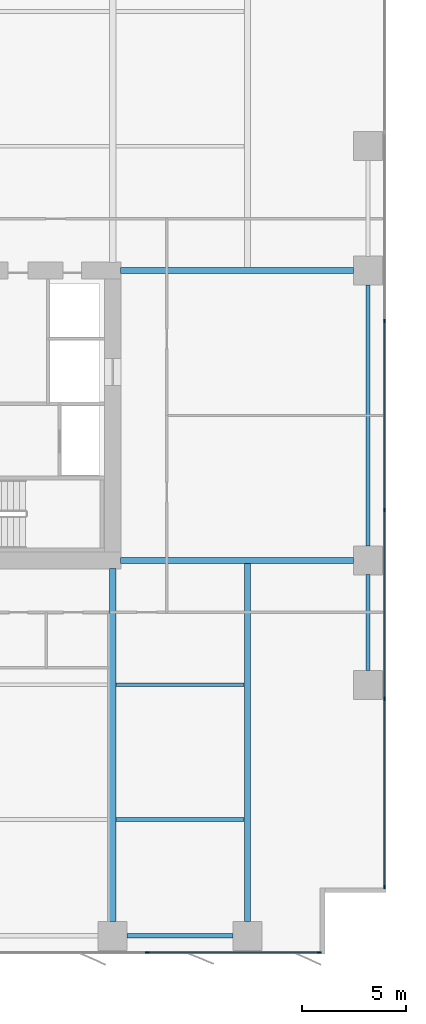
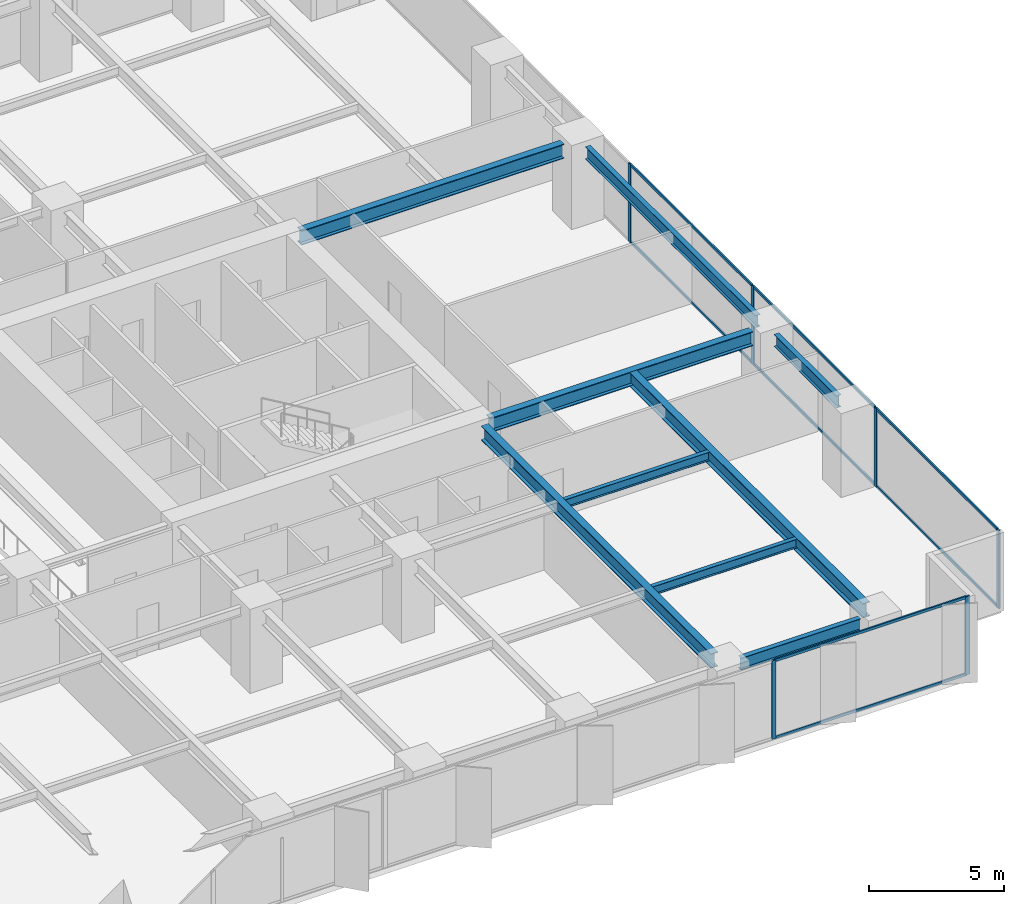
# One storey, part 10 of 20: 14 members, 9 beams, 2 elements without a shape of their own.
"""IFC4 building model written with IfcOpenShell, lengths in metres."""

from ifc_helpers import new_model, si_unit, direction, frame, origin, origin_2d, place, context, subcontext, project, spatial, rectangle, i_section, extrude, material, layer, layer_set, material_profile, profile_set, type_object, element, aggregate, save


model = new_model("IFC4")

# Units and contexts
model_context = context("Model", 3, precision=1e-05, world=origin(), true_north=direction((0.0, 1.0)))
body_context = subcontext(model_context, "Body", "Model", "MODEL_VIEW")
ifc_project = project(units=[si_unit("LENGTHUNIT", "METRE"), si_unit("AREAUNIT", "SQUARE_METRE"), si_unit("VOLUMEUNIT", "CUBIC_METRE"), si_unit("PLANEANGLEUNIT", "RADIAN"), si_unit("MASSUNIT", "GRAM", prefix="KILO")], contexts=[model_context])

# Site, building, storey
site_placement = place(None, origin())
site = spatial("IfcSite", under=ifc_project, at=site_placement, CompositionType="ELEMENT")
building_placement = place(site_placement, origin())
building = spatial("IfcBuilding", under=site, at=building_placement, Name="Putna Gate Headquarters", CompositionType="ELEMENT")
storey_placement = place(building_placement, frame((0.0, 0.0, 69.60009765625)))
storey = spatial("IfcBuildingStorey", under=building, at=storey_placement, Name="L16", CompositionType="ELEMENT", Elevation=69.60009765625)

# Beams
ifc_material_1 = material(Name="Steel S355J2", Category="steel")
ifc_material_profile_1 = material_profile(ifc_material_1, i_section(OverallWidth=0.300048828125, OverallDepth=0.64990234375, WebThickness=0.01611328125, FlangeThickness=0.031005859375, at=origin_2d()), Name="Steel S355J2")
ifc_profile_set_1 = profile_set([ifc_material_profile_1], Name="Steel S355J2")
beam_type_1 = type_object("IfcBeamType", Name="BM-GIRD-Z1-HEB650", PredefinedType="USERDEFINED", material=ifc_profile_set_1)
for number, where, z_axis, x_axis, name in (
    (1, (65.385009765625, 19.0, 3.224853515625), (1.0, 0.0, 0.0), (0.0, 1.0, 0.0), "L16 East Wing Girder Y19"),
    (2, (65.385009765625, 33.0, 3.224853515625), (1.0, 0.0, 0.0), (0.0, 1.0, 0.0), "L16 East Wing Girder Y33"),
):
    element("IfcBeam", number, at=place(storey_placement, frame(where, z_axis=z_axis, x_axis=x_axis)), inside=storey, type_object=beam_type_1, Name=name, ObjectType="GIRDER", PredefinedType="USERDEFINED", context=body_context, shape_type="SweptSolid", body=[
        extrude(i_section(OverallWidth=0.300048828125, OverallDepth=0.64990234375, WebThickness=0.01611328125, FlangeThickness=0.031005859375, at=origin_2d()), origin(), (0.0, 0.0, 1.0), 11.2470703125),
    ])
beam_1_placement = place(storey_placement, frame((65.0, 1.568115234375, 3.224853515625), z_axis=(0.0, 1.0, 0.0), x_axis=(-1.0, 0.0, 0.0)))
element("IfcBeam", 3, at=beam_1_placement, inside=storey, type_object=beam_type_1, Name="L16 South Primary Girder X65", ObjectType="GIRDER", PredefinedType="USERDEFINED", context=body_context, shape_type="SweptSolid", body=[
    extrude(i_section(OverallWidth=0.300048828125, OverallDepth=0.64990234375, WebThickness=0.01611328125, FlangeThickness=0.031005859375, at=origin_2d()), origin(), (0.0, 0.0, 1.0), 17.046875),
])
beam_2_placement = place(storey_placement, frame((71.5, 1.568115234375, 3.224853515625), z_axis=(0.0, 1.0, 0.0), x_axis=(-1.0, 0.0, 0.0)))
element("IfcBeam", 4, at=beam_2_placement, inside=storey, type_object=beam_type_1, Name="L16 South Primary Girder X71", ObjectType="GIRDER", PredefinedType="USERDEFINED", context=body_context, shape_type="SweptSolid", body=[
    extrude(i_section(OverallWidth=0.300048828125, OverallDepth=0.64990234375, WebThickness=0.01611328125, FlangeThickness=0.031005859375, at=origin_2d()), origin(), (0.0, 0.0, 1.0), 17.419921875),
])
ifc_material_profile_2 = material_profile(ifc_material_1, i_section(OverallWidth=0.179931640625, OverallDepth=0.39990234375, WebThickness=0.008544921875, FlangeThickness=0.013427734375, at=origin_2d()), Name="Steel S355J2")
ifc_profile_set_2 = profile_set([ifc_material_profile_2], Name="Steel S355J2")
beam_type_2 = type_object("IfcBeamType", Name="BM-SEC-Z1-IPE400", PredefinedType="BEAM", material=ifc_profile_set_2)
for number, where, z_axis, x_axis, name in (
    (5, (65.154052734375, 6.5, 3.349853515625), (1.0, 0.0, 0.0), (0.0, 1.0, 0.0), "L16 South Secondary Beam 10"),
    (6, (65.154052734375, 13.0, 3.349853515625), (1.0, 0.0, 0.0), (0.0, 1.0, 0.0), "L16 South Secondary Beam 10"),
):
    element("IfcBeam", number, at=place(storey_placement, frame(where, z_axis=z_axis, x_axis=x_axis)), inside=storey, type_object=beam_type_2, Name=name, PredefinedType="BEAM", context=body_context, shape_type="SweptSolid", body=[
        extrude(i_section(OverallWidth=0.179931640625, OverallDepth=0.39990234375, WebThickness=0.008544921875, FlangeThickness=0.013427734375, at=origin_2d()), origin(), (0.0, 0.0, 1.0), 6.19189453125),
    ])
ifc_material_profile_3 = material_profile(ifc_material_1, i_section(OverallWidth=0.2099609375, OverallDepth=0.550048828125, WebThickness=0.010986328125, FlangeThickness=0.01708984375, at=origin_2d()), Name="Steel S355J2")
ifc_profile_set_3 = profile_set([ifc_material_profile_3], Name="Steel S355J2")
beam_type_3 = type_object("IfcBeamType", Name="BM-SPAN-Z1-IPE550", PredefinedType="SPANDREL", material=ifc_profile_set_3)
beam_3_placement = place(storey_placement, frame((65.68798828125, 0.8798828125, 3.27490234375), z_axis=(1.0, 0.0, 0.0), x_axis=(0.0, 1.0, 0.0)))
element("IfcBeam", 7, at=beam_3_placement, inside=storey, type_object=beam_type_3, Name="L16 S Perimeter Spandrel 10", PredefinedType="SPANDREL", context=body_context, shape_type="SweptSolid", body=[
    extrude(i_section(OverallWidth=0.2099609375, OverallDepth=0.550048828125, WebThickness=0.010986328125, FlangeThickness=0.01708984375, at=origin_2d()), origin(), (0.0, 0.0, 1.0), 5.1240234375),
])
beam_4_placement = place(storey_placement, frame((77.320068359375, 13.68798828125, 3.27490234375), z_axis=(0.0, 1.0, 0.0), x_axis=(-1.0, 0.0, 0.0)))
element("IfcBeam", 8, at=beam_4_placement, inside=storey, type_object=beam_type_3, Name="L16 E End Spandrel 1", PredefinedType="SPANDREL", context=body_context, shape_type="SweptSolid", body=[
    extrude(i_section(OverallWidth=0.2099609375, OverallDepth=0.550048828125, WebThickness=0.010986328125, FlangeThickness=0.01708984375, at=origin_2d()), origin(), (0.0, 0.0, 1.0), 4.6240234375),
])
beam_5_placement = place(storey_placement, frame((77.320068359375, 19.68798828125, 3.27490234375), z_axis=(0.0, 1.0, 0.0), x_axis=(-1.0, 0.0, 0.0)))
element("IfcBeam", 9, at=beam_5_placement, inside=storey, type_object=beam_type_3, Name="L16 E End Spandrel 2", PredefinedType="SPANDREL", context=body_context, shape_type="SweptSolid", body=[
    extrude(i_section(OverallWidth=0.2099609375, OverallDepth=0.550048828125, WebThickness=0.010986328125, FlangeThickness=0.01708984375, at=origin_2d()), origin(), (0.0, 0.0, 1.0), 12.6240234375),
])

# Curtain wall, members
ifc_material_2 = material(Name="Anodised bronze aluminium curtain wall", Category="aluminium")
ifc_layer = layer(ifc_material_2, 0.179931640625)
ifc_layer_set = layer_set([ifc_layer], Name="Anodised bronze aluminium curtain wall")
curtain_wall_type = type_object("IfcCurtainWallType", Name="CW-SYS-Z1", PredefinedType="USERDEFINED", material=ifc_layer_set)
curtain_wall_1_placement = place(storey_placement, origin())
curtain_wall_1 = element("IfcCurtainWall", 10, at=curtain_wall_1_placement, inside=storey, type_object=curtain_wall_type, Name="L16 South East Curtain Wall", ObjectType="STICK CURTAIN WALL", PredefinedType="USERDEFINED")
ifc_material_3 = material(Name="Anodised bronze aluminium EN AW-6060", Category="aluminium")
ifc_material_profile_4 = material_profile(ifc_material_3, rectangle(XDim=0.070068359375, YDim=0.179931640625, at=origin_2d()), Name="Anodised bronze aluminium EN AW-6060")
ifc_profile_set_4 = profile_set([ifc_material_profile_4], Name="Anodised bronze aluminium EN AW-6060")
member_type_1 = type_object("IfcMemberType", Name="MULL-CWM-1", PredefinedType="MULLION", material=ifc_profile_set_4)
member_1_placement = place(storey_placement, frame((66.666748046875, 0.080078125, 0.0), z_axis=(0.0, 0.0, 1.0), x_axis=(0.0, 1.0, 0.0)))
member_1 = element("IfcMember", 11, at=member_1_placement, type_object=member_type_1, Name="CWS-1 mullion 3", PredefinedType="MULLION", context=body_context, shape_type="SweptSolid", body=[
    extrude(rectangle(XDim=0.070068359375, YDim=0.179931640625, at=origin_2d()), origin(), (0.0, 0.0, 1.0), 3.5498046875),
])
member_2_placement = place(storey_placement, frame((74.965087890625, 0.080078125, 0.0), z_axis=(0.0, 0.0, 1.0), x_axis=(0.0, 1.0, 0.0)))
member_2 = element("IfcMember", 12, at=member_2_placement, type_object=member_type_1, Name="CWS-1 mullion 4", PredefinedType="MULLION", context=body_context, shape_type="SweptSolid", body=[
    extrude(rectangle(XDim=0.070068359375, YDim=0.179931640625, at=origin_2d()), origin(), (0.0, 0.0, 1.0), 3.5498046875),
])

curtain_wall_2_placement = place(storey_placement, origin())
curtain_wall_2 = element("IfcCurtainWall", 13, at=curtain_wall_2_placement, inside=storey, type_object=curtain_wall_type, Name="L16 East Curtain Wall", ObjectType="STICK CURTAIN WALL", PredefinedType="USERDEFINED")
member_3_placement = place(storey_placement, frame((78.1201171875, 3.235107421875, 0.0), z_axis=(0.0, 0.0, 1.0), x_axis=(-1.0, 0.0, 0.0)))
member_3 = element("IfcMember", 14, at=member_3_placement, type_object=member_type_1, Name="CWS-1 mullion 1", PredefinedType="MULLION", context=body_context, shape_type="SweptSolid", body=[
    extrude(rectangle(XDim=0.070068359375, YDim=0.179931640625, at=origin_2d()), origin(), (0.0, 0.0, 1.0), 3.5498046875),
])
member_4_placement = place(storey_placement, frame((78.1201171875, 12.320068359375, 0.0), z_axis=(0.0, 0.0, 1.0), x_axis=(-1.0, 0.0, 0.0)))
member_4 = element("IfcMember", 15, at=member_4_placement, type_object=member_type_1, Name="CWS-1 mullion 2", PredefinedType="MULLION", context=body_context, shape_type="SweptSolid", body=[
    extrude(rectangle(XDim=0.070068359375, YDim=0.179931640625, at=origin_2d()), origin(), (0.0, 0.0, 1.0), 3.5498046875),
])
member_5_placement = place(storey_placement, frame((78.1201171875, 21.43994140625, 0.0), z_axis=(0.0, 0.0, 1.0), x_axis=(-1.0, 0.0, 0.0)))
member_5 = element("IfcMember", 16, at=member_5_placement, type_object=member_type_1, Name="CWS-1 mullion 3", PredefinedType="MULLION", context=body_context, shape_type="SweptSolid", body=[
    extrude(rectangle(XDim=0.070068359375, YDim=0.179931640625, at=origin_2d()), origin(), (0.0, 0.0, 1.0), 3.5498046875),
])
member_6_placement = place(storey_placement, frame((78.1201171875, 30.56005859375, 0.0), z_axis=(0.0, 0.0, 1.0), x_axis=(-1.0, 0.0, 0.0)))
member_6 = element("IfcMember", 17, at=member_6_placement, type_object=member_type_1, Name="CWS-1 mullion 4", PredefinedType="MULLION", context=body_context, shape_type="SweptSolid", body=[
    extrude(rectangle(XDim=0.070068359375, YDim=0.179931640625, at=origin_2d()), origin(), (0.0, 0.0, 1.0), 3.5498046875),
])

# Member
ifc_material_profile_5 = material_profile(ifc_material_3, rectangle(XDim=0.06494140625, YDim=0.1201171875, at=origin_2d()), Name="Anodised bronze aluminium EN AW-6060")
ifc_profile_set_5 = profile_set([ifc_material_profile_5], Name="Anodised bronze aluminium EN AW-6060")
member_type_2 = type_object("IfcMemberType", Name="TRAN-CWT-1", PredefinedType="USERDEFINED", material=ifc_profile_set_5)
member_7_placement = place(storey_placement, frame((66.70166015625, 0.080078125, 0.032470703125), z_axis=(1.0, 0.0, 0.0), x_axis=(0.0, 1.0, 0.0)))
member_7 = element("IfcMember", 18, at=member_7_placement, type_object=member_type_2, Name="CWS-1 transom 3.1", ObjectType="TRANSOM", PredefinedType="USERDEFINED", context=body_context, shape_type="SweptSolid", body=[
    extrude(rectangle(XDim=0.06494140625, YDim=0.1201171875, at=origin_2d()), origin(), (0.0, 0.0, 1.0), 8.228271484375),
])

member_8_placement = place(storey_placement, frame((66.70166015625, 0.080078125, 3.517333984375), z_axis=(1.0, 0.0, 0.0), x_axis=(0.0, 1.0, 0.0)))
member_8 = element("IfcMember", 19, at=member_8_placement, type_object=member_type_2, Name="CWS-1 transom 3.2", ObjectType="TRANSOM", PredefinedType="USERDEFINED", context=body_context, shape_type="SweptSolid", body=[
    extrude(rectangle(XDim=0.06494140625, YDim=0.1201171875, at=origin_2d()), origin(), (0.0, 0.0, 1.0), 8.228271484375),
])

aggregate(curtain_wall_1, [member_1, member_2, member_7, member_8])

member_9_placement = place(storey_placement, frame((78.1201171875, 3.27001953125, 0.032470703125), z_axis=(0.0, 1.0, 0.0), x_axis=(-1.0, 0.0, 0.0)))
member_9 = element("IfcMember", 20, at=member_9_placement, type_object=member_type_2, Name="CWS-1 transom 1.1", ObjectType="TRANSOM", PredefinedType="USERDEFINED", context=body_context, shape_type="SweptSolid", body=[
    extrude(rectangle(XDim=0.06494140625, YDim=0.1201171875, at=origin_2d()), origin(), (0.0, 0.0, 1.0), 9.014892578125),
])

member_10_placement = place(storey_placement, frame((78.1201171875, 3.27001953125, 3.517333984375), z_axis=(0.0, 1.0, 0.0), x_axis=(-1.0, 0.0, 0.0)))
member_10 = element("IfcMember", 21, at=member_10_placement, type_object=member_type_2, Name="CWS-1 transom 1.2", ObjectType="TRANSOM", PredefinedType="USERDEFINED", context=body_context, shape_type="SweptSolid", body=[
    extrude(rectangle(XDim=0.06494140625, YDim=0.1201171875, at=origin_2d()), origin(), (0.0, 0.0, 1.0), 9.014892578125),
])

member_11_placement = place(storey_placement, frame((78.1201171875, 12.35498046875, 0.032470703125), z_axis=(0.0, 1.0, 0.0), x_axis=(-1.0, 0.0, 0.0)))
member_11 = element("IfcMember", 22, at=member_11_placement, type_object=member_type_2, Name="CWS-1 transom 2.1", ObjectType="TRANSOM", PredefinedType="USERDEFINED", context=body_context, shape_type="SweptSolid", body=[
    extrude(rectangle(XDim=0.06494140625, YDim=0.1201171875, at=origin_2d()), origin(), (0.0, 0.0, 1.0), 9.050048828125),
])

member_12_placement = place(storey_placement, frame((78.1201171875, 12.35498046875, 3.517333984375), z_axis=(0.0, 1.0, 0.0), x_axis=(-1.0, 0.0, 0.0)))
member_12 = element("IfcMember", 23, at=member_12_placement, type_object=member_type_2, Name="CWS-1 transom 2.2", ObjectType="TRANSOM", PredefinedType="USERDEFINED", context=body_context, shape_type="SweptSolid", body=[
    extrude(rectangle(XDim=0.06494140625, YDim=0.1201171875, at=origin_2d()), origin(), (0.0, 0.0, 1.0), 9.050048828125),
])

member_13_placement = place(storey_placement, frame((78.1201171875, 21.47509765625, 0.032470703125), z_axis=(0.0, 1.0, 0.0), x_axis=(-1.0, 0.0, 0.0)))
member_13 = element("IfcMember", 24, at=member_13_placement, type_object=member_type_2, Name="CWS-1 transom 3.1", ObjectType="TRANSOM", PredefinedType="USERDEFINED", context=body_context, shape_type="SweptSolid", body=[
    extrude(rectangle(XDim=0.06494140625, YDim=0.1201171875, at=origin_2d()), origin(), (0.0, 0.0, 1.0), 9.0498046875),
])

member_14_placement = place(storey_placement, frame((78.1201171875, 21.47509765625, 3.517333984375), z_axis=(0.0, 1.0, 0.0), x_axis=(-1.0, 0.0, 0.0)))
member_14 = element("IfcMember", 25, at=member_14_placement, type_object=member_type_2, Name="CWS-1 transom 3.2", ObjectType="TRANSOM", PredefinedType="USERDEFINED", context=body_context, shape_type="SweptSolid", body=[
    extrude(rectangle(XDim=0.06494140625, YDim=0.1201171875, at=origin_2d()), origin(), (0.0, 0.0, 1.0), 9.0498046875),
])

aggregate(curtain_wall_2, [member_3, member_4, member_5, member_6, member_9, member_10, member_11, member_12, member_13, member_14])

save(model, "model.ifc")
